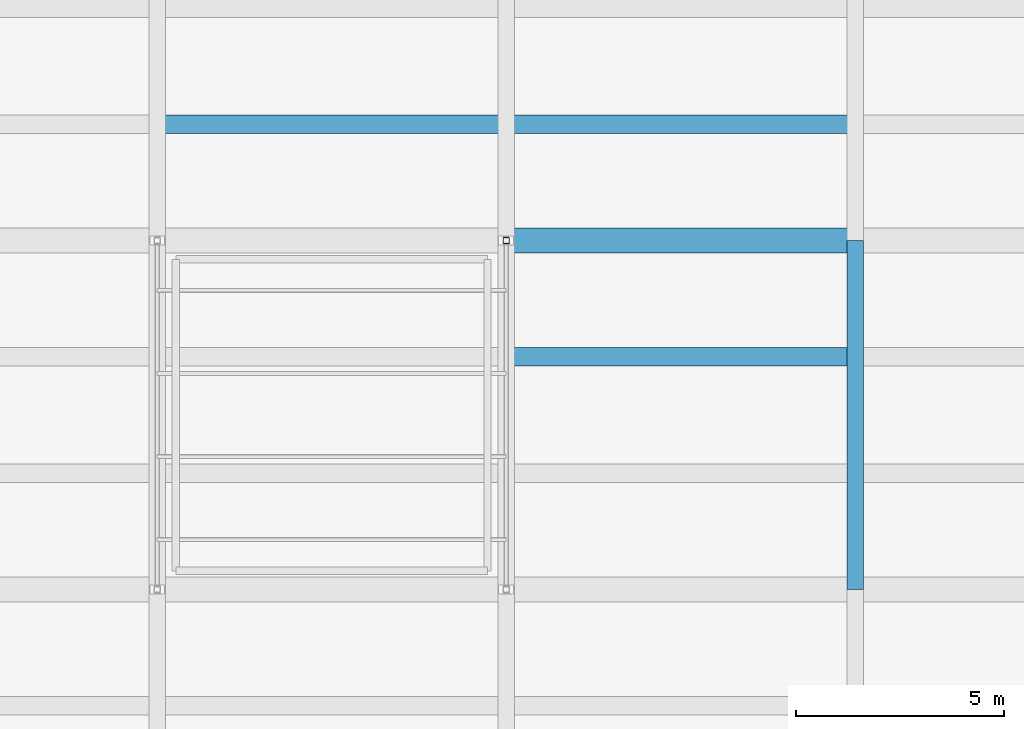
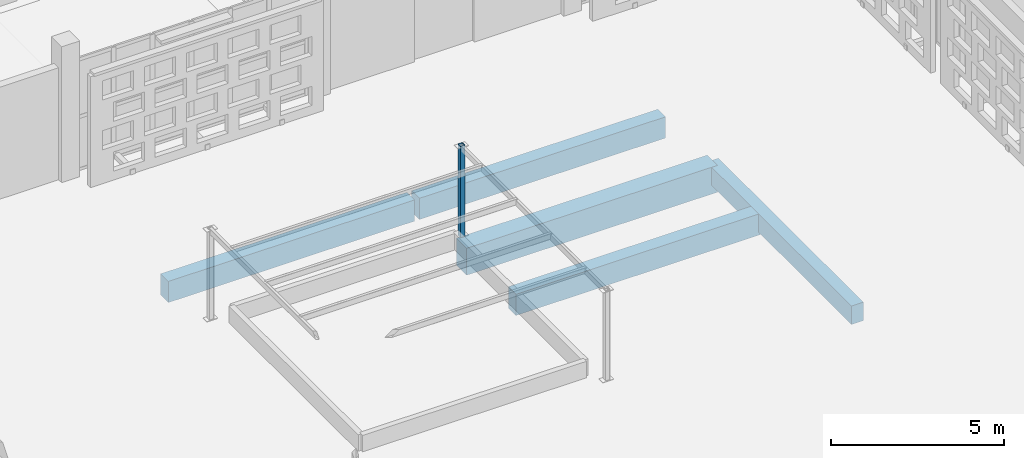
# One storey, part 33 of 129: 5 beams, 1 member.
"""IFC4 building model written with IfcOpenShell, lengths in metres."""

from ifc_helpers import new_model, si_unit, direction, frame, origin, origin_2d, place, context, subcontext, project, spatial, rectangle, hollow_rectangle, extrude, material, material_profile, profile_set, type_object, element, save


model = new_model("IFC4")

# Units and contexts
model_context = context("Model", 3, precision=1e-05, world=origin(), true_north=direction((0.0, 1.0)))
body_context = subcontext(model_context, "Body", "Model", "MODEL_VIEW")
ifc_project = project(units=[si_unit("LENGTHUNIT", "METRE"), si_unit("AREAUNIT", "SQUARE_METRE"), si_unit("VOLUMEUNIT", "CUBIC_METRE"), si_unit("PLANEANGLEUNIT", "RADIAN"), si_unit("MASSUNIT", "GRAM", prefix="KILO")], contexts=[model_context])

# Site, building, storey
site_placement = place(None, origin())
site = spatial("IfcSite", under=ifc_project, at=site_placement, CompositionType="ELEMENT")
building_placement = place(site_placement, origin())
building = spatial("IfcBuilding", under=site, at=building_placement, Name="Varnapada Polytechnic", CompositionType="ELEMENT")
storey_placement = place(building_placement, origin())
storey = spatial("IfcBuildingStorey", under=building, at=storey_placement, Name="L00", CompositionType="ELEMENT", Elevation=0.0)

# Beams
ifc_material_1 = material(Name="Concrete C40/50", Category="concrete")
ifc_material_profile_1 = material_profile(ifc_material_1, rectangle(XDim=0.449951171875, YDim=0.75, at=origin_2d()), Name="RC 450x750")
ifc_profile_set_1 = profile_set([ifc_material_profile_1], Name="Concrete C40/50")
beam_type_1 = type_object("IfcBeamType", Name="Basement/podium secondary beam BB-01 (RC 450x750)", PredefinedType="BEAM", material=ifc_profile_set_1)
for number, where, z_axis, x_axis, name in (
    (1, (109.280029296875, 78.39990234375, -0.655029296875), (1.0, 0.0, 0.0), (0.0, 1.0, 0.0), "L00 floor joist 14/10.1"),
    (2, (117.679931640625, 72.800048828125, -0.655029296875), (1.0, 0.0, 0.0), (0.0, 1.0, 0.0), "L00 floor joist 15/9.2"),
    (3, (117.679931640625, 78.39990234375, -0.655029296875), (1.0, 0.0, 0.0), (0.0, 1.0, 0.0), "L00 floor joist 15/10.1"),
):
    element("IfcBeam", number, at=place(storey_placement, frame(where, z_axis=z_axis, x_axis=x_axis)), inside=storey, type_object=beam_type_1, Name=name, PredefinedType="BEAM", context=body_context, shape_type="SweptSolid", body=[
        extrude(rectangle(XDim=0.449951171875, YDim=0.75, at=origin_2d()), origin(), (0.0, 0.0, 1.0), 8.239990234375),
    ])
ifc_material_profile_2 = material_profile(ifc_material_1, rectangle(XDim=0.39990234375, YDim=0.64990234375, at=origin_2d()), Name="RC 400x650")
ifc_profile_set_2 = profile_set([ifc_material_profile_2], Name="Concrete C40/50")
beam_type_2 = type_object("IfcBeamType", Name="Podium framing beam BB-02 (RC 400x650)", PredefinedType="BEAM", material=ifc_profile_set_2)
beam_1_placement = place(storey_placement, frame((126.0, 67.199951171875, -0.60498046875), z_axis=(0.0, 1.0, 0.0), x_axis=(-1.0, 0.0, 0.0)))
element("IfcBeam", 4, at=beam_1_placement, inside=storey, type_object=beam_type_2, Name="L00 beam Y 9-10 at X16", PredefinedType="BEAM", context=body_context, shape_type="SweptSolid", body=[
    extrude(rectangle(XDim=0.39990234375, YDim=0.64990234375, at=origin_2d()), origin(), (0.0, 0.0, 1.0), 8.400146484375),
])

# Member
ifc_material_2 = material(Name="Steel S355", Category="steel")
ifc_material_profile_3 = material_profile(ifc_material_2, hollow_rectangle(XDim=0.14990234375, YDim=0.14990234375, WallThickness=0.00634765625, InnerFilletRadius=0.006103515625, OuterFilletRadius=0.011962890625, at=origin_2d()), Name="SHS 150x150x6.3")
ifc_profile_set_3 = profile_set([ifc_material_profile_3], Name="Steel S355")
member_type = type_object("IfcMemberType", Name="Sawtooth north-light mullion post SFP-02 (SHS 150x150x6.3)", PredefinedType="POST", material=ifc_profile_set_3)
member_placement = place(storey_placement, frame((117.60009765625, 75.60009765625, -0.02001953125), z_axis=(0.0, 0.0, 1.0), x_axis=(1.0, 0.0, 0.0)))
element("IfcMember", 5, at=member_placement, inside=storey, type_object=member_type, Name="Courtyard planted garden trellis post CT-BED-6.2.2", PredefinedType="POST", context=body_context, shape_type="SweptSolid", body=[
    extrude(hollow_rectangle(XDim=0.14990234375, YDim=0.14990234375, WallThickness=0.00634765625, InnerFilletRadius=0.006103515625, OuterFilletRadius=0.011962890625, at=origin_2d()), origin(), (0.0, 0.0, 1.0), 3.239990234375),
])

# Beam
ifc_material_profile_4 = material_profile(ifc_material_1, rectangle(XDim=0.60009765625, YDim=0.949951171875, at=origin_2d()), Name="RC 600x950")
ifc_profile_set_4 = profile_set([ifc_material_profile_4], Name="Concrete C40/50")
beam_type_3 = type_object("IfcBeamType", Name="Workshop podium heavy girder BG-03 (RC 600x950)", PredefinedType="T_BEAM", material=ifc_profile_set_4)
beam_2_placement = place(storey_placement, frame((117.60009765625, 75.60009765625, -0.7548828125), z_axis=(1.0, 0.0, 0.0), x_axis=(0.0, 1.0, 0.0)))
element("IfcBeam", 6, at=beam_2_placement, inside=storey, type_object=beam_type_3, Name="L00 beam X 15-16 at Y10", PredefinedType="T_BEAM", context=body_context, shape_type="SweptSolid", body=[
    extrude(rectangle(XDim=0.60009765625, YDim=0.949951171875, at=origin_2d()), origin(), (0.0, 0.0, 1.0), 8.39990234375),
])

save(model, "model.ifc")
